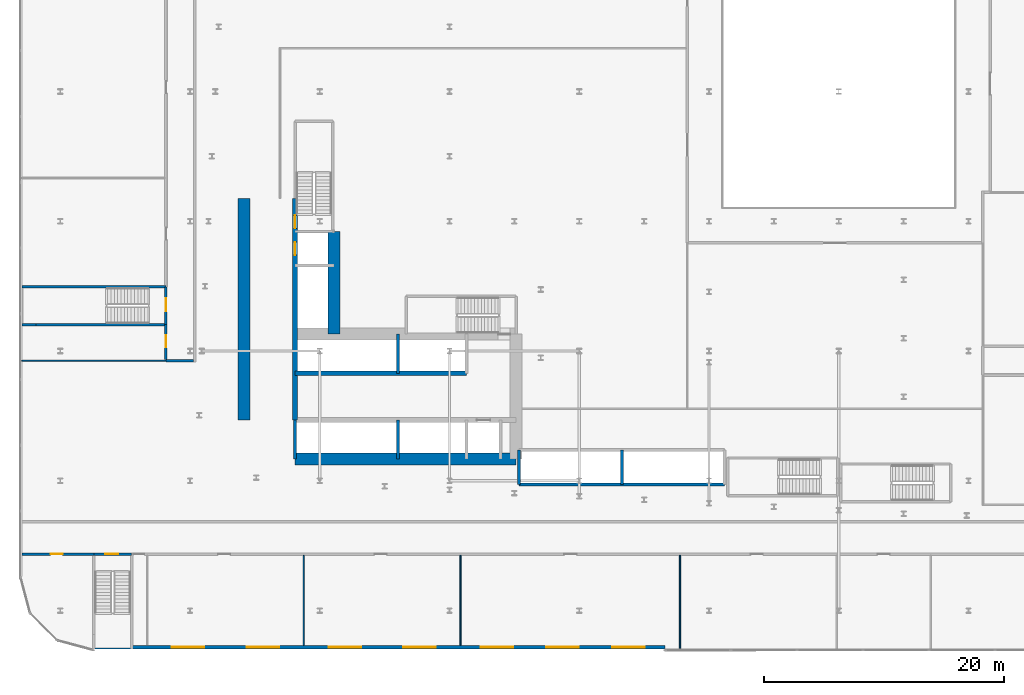
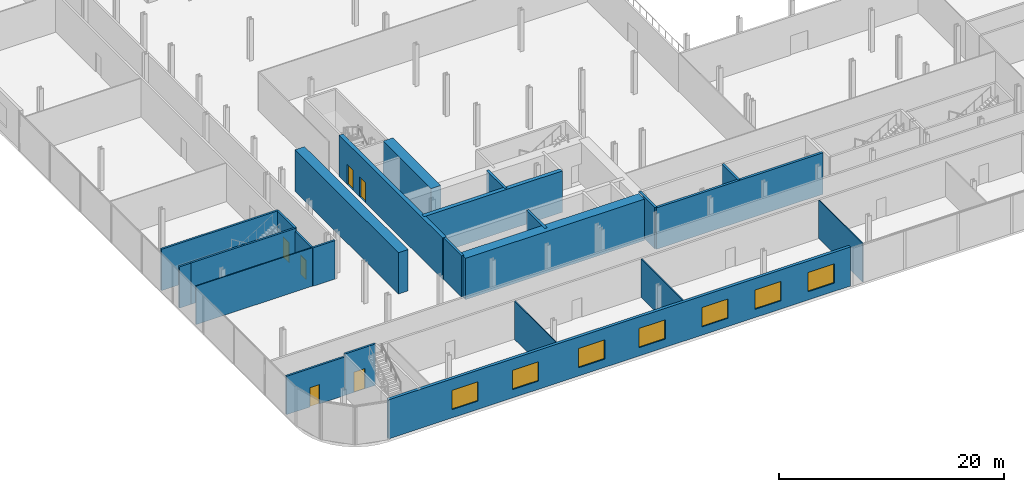
# One storey, part 26 of 47: 24 walls, 7 windows, 6 doors, 13 openings.
"""IFC4 building model written with IfcOpenShell, lengths in metres."""

from ifc_helpers import new_model, si_unit, direction, frame, frame_2d, origin, place, context, subcontext, project, spatial, rectangle, extrude, source, transform, mapped, material, layer, layer_set, type_object, element, fill, save


model = new_model("IFC4")

# Units and contexts
model_context = context("Model", 3, precision=1e-05, world=origin(), true_north=direction((0.0, 1.0)))
body_context = subcontext(model_context, "Body", "Model", "MODEL_VIEW")
ifc_project = project(units=[si_unit("LENGTHUNIT", "METRE"), si_unit("AREAUNIT", "SQUARE_METRE"), si_unit("VOLUMEUNIT", "CUBIC_METRE"), si_unit("PLANEANGLEUNIT", "RADIAN"), si_unit("MASSUNIT", "GRAM", prefix="KILO")], contexts=[model_context])

# Site, building, storey
site_placement = place(None, origin())
site = spatial("IfcSite", under=ifc_project, at=site_placement, CompositionType="ELEMENT")
building_placement = place(site_placement, origin())
building = spatial("IfcBuilding", under=site, at=building_placement, Name="Kheshtan School and Residences Tower", CompositionType="ELEMENT")
storey_placement = place(building_placement, frame((0.0, 0.0, 21.5)))
storey = spatial("IfcBuildingStorey", under=building, at=storey_placement, Name="L04", CompositionType="ELEMENT", Elevation=21.5)

# Walls
ifc_material_1 = material(Name="Concrete C80/95", Category="concrete")
ifc_layer_1 = layer(ifc_material_1, 1.0)
ifc_layer_set_1 = layer_set([ifc_layer_1], Name="Core wall 1000 Concrete C80/95")
wall_type_1 = type_object("IfcWallType", Name="Core wall 1000 Concrete C80/95", PredefinedType="SHEAR", material=ifc_layer_set_1)
wall_1_placement = place(storey_placement, frame((34.75, 25.800048828125, 0.0), z_axis=(0.0, 0.0, 1.0), x_axis=(1.0, 0.0, 0.0)))
element("IfcWall", 1, at=wall_1_placement, inside=storey, type_object=wall_type_1, Name="Core wall CW-REAR-S", PredefinedType="SHEAR", context=body_context, shape_type="SweptSolid", body=[
    extrude(rectangle(XDim=18.39990234375, YDim=1.0, at=frame_2d((9.199951171875, 0.0))), origin(), (0.0, 0.0, 1.0), 4.5),
])
wall_2_placement = place(storey_placement, frame((38.0, 36.199951171875, 0.0), z_axis=(0.0, 0.0, 1.0), x_axis=(0.0, 1.0, 0.0)))
element("IfcWall", 2, at=wall_2_placement, inside=storey, type_object=wall_type_1, Name="Core wall CW-FRONT-W", PredefinedType="SHEAR", context=body_context, shape_type="SweptSolid", body=[
    extrude(rectangle(XDim=8.550048828125, YDim=1.0, at=frame_2d((4.27490234375, 0.0))), origin(), (0.0, 0.0, 1.0), 4.5),
])
wall_3_placement = place(storey_placement, frame((30.5, 29.050048828125, 0.0), z_axis=(0.0, 0.0, 1.0), x_axis=(0.0, 1.0, 0.0)))
element("IfcWall", 3, at=wall_3_placement, inside=storey, type_object=wall_type_1, Name="Core wall CW-REAR-W", PredefinedType="SHEAR", context=body_context, shape_type="SweptSolid", body=[
    extrude(rectangle(XDim=18.449951171875, YDim=1.0, at=frame_2d((9.22509765625, 0.0))), origin(), (0.0, 0.0, 1.0), 4.5),
])
ifc_material_2 = material(Name="Concrete C50/60", Category="concrete")
ifc_layer_2 = layer(ifc_material_2, 0.39990234375)
ifc_layer_set_2 = layer_set([ifc_layer_2], Name="Core wall 400 Concrete C50/60")
wall_type_2 = type_object("IfcWallType", Name="Core wall 400 Concrete C50/60", PredefinedType="SHEAR", material=ifc_layer_set_2)
wall_4_placement = place(storey_placement, frame((34.75, 32.949951171875, 0.0), z_axis=(0.0, 0.0, 1.0), x_axis=(1.0, 0.0, 0.0)))
element("IfcWall", 4, at=wall_4_placement, inside=storey, type_object=wall_type_2, Name="Core wall CW-HALL-S2", PredefinedType="SHEAR", context=body_context, shape_type="SweptSolid", body=[
    extrude(rectangle(XDim=14.25, YDim=0.39990234375, at=frame_2d((7.125, 0.0))), origin(), (0.0, 0.0, 1.0), 4.5),
])

# Wall, openings, doors
wall_5_placement = place(storey_placement, frame((34.75, 29.050048828125, 0.0), z_axis=(0.0, 0.0, 1.0), x_axis=(0.0, 1.0, 0.0)))
wall_5 = element("IfcWall", 5, at=wall_5_placement, inside=storey, type_object=wall_type_2, Name="Core wall CW-HALL-W1", PredefinedType="SHEAR", context=body_context, shape_type="SweptSolid", body=[
    extrude(rectangle(XDim=18.449951171875, YDim=0.39990234375, at=frame_2d((9.22509765625, 0.0))), origin(), (0.0, 0.0, 1.0), 4.5),
])
opening_1_placement = place(wall_5_placement, frame((13.72509765625, 0.0, 0.0)))
opening_1 = element("IfcOpeningElement", 6, at=opening_1_placement, cuts=wall_5, Name="Opening LD", PredefinedType="OPENING", context=body_context, shape_type="SweptSolid", body=[
    extrude(rectangle(XDim=1.10009765625, YDim=2.199951171875, at=frame_2d((0.550048828125, 1.10009765625))), frame((0.0, 0.2099609375, 0.0), z_axis=(0.0, -1.0, 0.0), x_axis=(1.0, 0.0, 0.0)), (0.0, 0.0, 1.0), 0.419921875),
])
opening_2_placement = place(wall_5_placement, frame((15.949951171875, 0.0, 0.0)))
opening_2 = element("IfcOpeningElement", 7, at=opening_2_placement, cuts=wall_5, Name="Opening ST2D", PredefinedType="OPENING", context=body_context, shape_type="SweptSolid", body=[
    extrude(rectangle(XDim=1.10009765625, YDim=2.199951171875, at=frame_2d((0.550048828125, 1.10009765625))), frame((0.0, 0.2099609375, 0.0), z_axis=(0.0, -1.0, 0.0), x_axis=(1.0, 0.0, 0.0)), (0.0, 0.0, 1.0), 0.419921875),
])
ifc_material_3 = material(Name="Stainless steel door leaves", Category="steel")
door_type_1 = type_object("IfcDoorType", Name="Lift landing door 1100", OperationType="SLIDING_TO_LEFT", PredefinedType="DOOR", material=ifc_material_3)
shared_shape_1 = source(origin(), body_context, "Body", "SweptSolid", [
    extrude(rectangle(XDim=1.10009765625, YDim=2.199951171875, at=frame_2d((0.550048828125, 1.10009765625))), frame((0.0, 0.02490234375, 0.0), z_axis=(0.0, -1.0, 0.0), x_axis=(1.0, 0.0, 0.0)), (0.0, 0.0, 1.0), 0.050048828125),
])
door_1_placement = place(opening_1_placement, origin())
door_1 = element("IfcDoor", 8, at=door_1_placement, inside=storey, type_object=door_type_1, Name="Lift FFL1 landing door", OperationType="SLIDING_TO_LEFT", OverallHeight=2.199951171875, OverallWidth=1.10009765625, PredefinedType="DOOR", context=body_context, shape_type="MappedRepresentation", body=[
    mapped(shared_shape_1, transform((0.0, 0.0, 0.0), x_axis=(1.0, 0.0, 0.0), y_axis=(0.0, 1.0, 0.0), z_axis=(0.0, 0.0, 1.0), scale=1.0)),
])
fill(opening_1, door_1)
ifc_material_4 = material(Name="Steel door leaf, galvanised", Category="steel")
door_type_2 = type_object("IfcDoorType", Name="Stair door 1100 steel 90 min", OperationType="SINGLE_SWING_LEFT", PredefinedType="DOOR", material=ifc_material_4)
shared_shape_2 = source(origin(), body_context, "Body", "SweptSolid", [
    extrude(rectangle(XDim=1.10009765625, YDim=2.199951171875, at=frame_2d((0.550048828125, 1.10009765625))), frame((0.0, 0.02490234375, 0.0), z_axis=(0.0, -1.0, 0.0), x_axis=(1.0, 0.0, 0.0)), (0.0, 0.0, 1.0), 0.050048828125),
])
door_2_placement = place(opening_2_placement, origin())
door_2 = element("IfcDoor", 9, at=door_2_placement, inside=storey, type_object=door_type_2, Name="Stair ST2 door", OperationType="SINGLE_SWING_RIGHT", OverallHeight=2.199951171875, OverallWidth=1.10009765625, PredefinedType="DOOR", context=body_context, shape_type="MappedRepresentation", body=[
    mapped(shared_shape_2, transform((0.0, 0.0, 0.0), x_axis=(1.0, 0.0, 0.0), y_axis=(0.0, 1.0, 0.0), z_axis=(0.0, 0.0, 1.0), scale=1.0)),
])
fill(opening_2, door_2)

# Wall, opening, door
ifc_material_5 = material(Name="Gypsum board on steel studs with fire boards", Category="steel")
ifc_layer_3 = layer(ifc_material_5, 0.199951171875)
ifc_layer_set_3 = layer_set([ifc_layer_3], Name="Corridor wall 200")
wall_type_3 = type_object("IfcWallType", Name="Corridor wall 200", PredefinedType="PARTITIONING", material=ifc_layer_set_3)
wall_6_placement = place(storey_placement, frame((12.0, 17.89990234375, 0.0), z_axis=(0.0, 0.0, 1.0), x_axis=(1.0, 0.0, 0.0)))
wall_6 = element("IfcWall", 10, at=wall_6_placement, inside=storey, type_object=wall_type_3, Name="Partition L04-001", PredefinedType="PARTITIONING", context=body_context, shape_type="SweptSolid", body=[
    extrude(rectangle(XDim=6.0, YDim=0.199951171875, at=frame_2d((3.0, 0.0))), origin(), (0.0, 0.0, 1.0), 4.179931640625),
])
opening_3_placement = place(wall_6_placement, frame((2.39990234375, 0.0, 0.0)))
opening_3 = element("IfcOpeningElement", 11, at=opening_3_placement, cuts=wall_6, Name="Opening D04-034", PredefinedType="OPENING", context=body_context, shape_type="SweptSolid", body=[
    extrude(rectangle(XDim=1.0, YDim=2.10009765625, at=frame_2d((0.5, 1.050048828125))), frame((0.0, 0.10986328125, 0.0), z_axis=(0.0, -1.0, 0.0), x_axis=(1.0, 0.0, 0.0)), (0.0, 0.0, 1.0), 0.219970703125),
])
ifc_material_6 = material(Name="Steel-framed fire-resisting door leaf", Category="steel")
door_type_3 = type_object("IfcDoorType", Name="Fire door FD60 1000 x 2100", OperationType="SINGLE_SWING_LEFT", PredefinedType="DOOR", material=ifc_material_6)
shared_shape_3 = source(origin(), body_context, "Body", "SweptSolid", [
    extrude(rectangle(XDim=1.0, YDim=2.10009765625, at=frame_2d((0.5, 1.050048828125))), frame((0.0, 0.02490234375, 0.0), z_axis=(0.0, -1.0, 0.0), x_axis=(1.0, 0.0, 0.0)), (0.0, 0.0, 1.0), 0.050048828125),
])
door_3_placement = place(opening_3_placement, origin())
door_3 = element("IfcDoor", 12, at=door_3_placement, inside=storey, type_object=door_type_3, Name="Door D04-034", OperationType="SINGLE_SWING_LEFT", OverallHeight=2.10009765625, OverallWidth=1.0, PredefinedType="DOOR", context=body_context, shape_type="MappedRepresentation", body=[
    mapped(shared_shape_3, transform((0.0, 0.0, 0.0), x_axis=(1.0, 0.0, 0.0), y_axis=(0.0, 1.0, 0.0), z_axis=(0.0, 0.0, 1.0), scale=1.0)),
])
fill(opening_3, door_3)

# Wall
wall_7_placement = place(storey_placement, frame((24.0, 34.0, 0.0), z_axis=(0.0, 0.0, 1.0), x_axis=(1.0, 0.0, 0.0)))
element("IfcWall", 13, at=wall_7_placement, inside=storey, type_object=wall_type_3, Name="Partition L04-010", PredefinedType="PARTITIONING", context=body_context, shape_type="SweptSolid", body=[
    extrude(rectangle(XDim=2.300048828125, YDim=0.199951171875, at=frame_2d((1.14990234375, 0.0))), origin(), (0.0, 0.0, 1.0), 4.179931640625),
])

# Wall, opening, door
wall_8_placement = place(storey_placement, frame((24.0, 34.10009765625, 0.0), z_axis=(0.0, 0.0, 1.0), x_axis=(0.0, 1.0, 0.0)))
wall_8 = element("IfcWall", 14, at=wall_8_placement, inside=storey, type_object=wall_type_3, Name="Partition L04-011", PredefinedType="PARTITIONING", context=body_context, shape_type="SweptSolid", body=[
    extrude(rectangle(XDim=2.89990234375, YDim=0.199951171875, at=frame_2d((1.449951171875, 0.0))), origin(), (0.0, 0.0, 1.0), 4.179931640625),
])
opening_4_placement = place(wall_8_placement, frame((1.0, 0.0, 0.0)))
opening_4 = element("IfcOpeningElement", 15, at=opening_4_placement, cuts=wall_8, Name="Opening D04-052", PredefinedType="OPENING", context=body_context, shape_type="SweptSolid", body=[
    extrude(rectangle(XDim=1.0, YDim=2.10009765625, at=frame_2d((0.5, 1.050048828125))), frame((0.0, 0.10986328125, 0.0), z_axis=(0.0, -1.0, 0.0), x_axis=(1.0, 0.0, 0.0)), (0.0, 0.0, 1.0), 0.219970703125),
])
door_4_placement = place(opening_4_placement, origin())
door_4 = element("IfcDoor", 16, at=door_4_placement, inside=storey, type_object=door_type_3, Name="Door D04-052", OperationType="SINGLE_SWING_RIGHT", OverallHeight=2.10009765625, OverallWidth=1.0, PredefinedType="DOOR", context=body_context, shape_type="MappedRepresentation", body=[
    mapped(shared_shape_3, transform((0.0, 0.0, 0.0), x_axis=(1.0, 0.0, 0.0), y_axis=(0.0, 1.0, 0.0), z_axis=(0.0, 0.0, 1.0), scale=1.0)),
])
fill(opening_4, door_4)

# Walls
ifc_material_7 = material(Name="Gypsum board on steel studs", Category="steel")
ifc_layer_4 = layer(ifc_material_7, 0.10009765625)
ifc_layer_set_4 = layer_set([ifc_layer_4], Name="Gypsum partition 100")
wall_type_4 = type_object("IfcWallType", Name="Gypsum partition 100", PredefinedType="PARTITIONING", material=ifc_layer_set_4)
wall_9_placement = place(storey_placement, frame((12.0, 34.0, 0.0), z_axis=(0.0, 0.0, 1.0), x_axis=(1.0, 0.0, 0.0)))
element("IfcWall", 17, at=wall_9_placement, inside=storey, type_object=wall_type_4, Name="Partition L04-003", PredefinedType="PARTITIONING", context=body_context, shape_type="SweptSolid", body=[
    extrude(rectangle(XDim=12.0, YDim=0.10009765625, at=frame_2d((6.0, 0.0))), origin(), (0.0, 0.0, 1.0), 4.179931640625),
])
for number, where, z_axis, x_axis, name in (
    (18, (35.47802734375, 10.299072265625, 0.0), (0.0, 0.0, 1.0), (0.0, 1.0, 0.0), "Partition L04-017"),
    (19, (48.52197265625, 10.299072265625, 0.0), (0.0, 0.0, 1.0), (0.0, 1.0, 0.0), "Partition L04-018"),
):
    element("IfcWall", number, at=place(storey_placement, frame(where, z_axis=z_axis, x_axis=x_axis)), inside=storey, type_object=wall_type_4, Name=name, PredefinedType="PARTITIONING", context=body_context, shape_type="SweptSolid", body=[
        extrude(rectangle(XDim=7.5009765625, YDim=0.10009765625, at=frame_2d((3.75048828125, 0.0))), origin(), (0.0, 0.0, 1.0), 4.179931640625),
    ])
wall_10_placement = place(storey_placement, frame((66.782958984375, 10.0, 0.0), z_axis=(0.0, 0.0, 1.0), x_axis=(0.0, 1.0, 0.0)))
element("IfcWall", 20, at=wall_10_placement, inside=storey, type_object=wall_type_4, Name="Partition L04-028", PredefinedType="PARTITIONING", context=body_context, shape_type="SweptSolid", body=[
    extrude(rectangle(XDim=7.800048828125, YDim=0.10009765625, at=frame_2d((3.89990234375, 0.0))), origin(), (0.0, 0.0, 1.0), 4.179931640625),
])

# Wall, openings, windows
ifc_material_8 = material(Name="Concrete C40/50 with ceramic cladding and mineral wool insulation", Category="concrete")
ifc_layer_5 = layer(ifc_material_8, 0.300048828125)
ifc_layer_set_5 = layer_set([ifc_layer_5], Name="Podium external wall 300")
wall_type_5 = type_object("IfcWallType", Name="Podium external wall 300", PredefinedType="SOLIDWALL", material=ifc_layer_set_5)
wall_11_placement = place(storey_placement, frame((65.52001953125, 10.14990234375, 0.0), z_axis=(0.0, 0.0, 1.0), x_axis=(-1.0, 0.0, 0.0)))
wall_11 = element("IfcWall", 21, at=wall_11_placement, inside=storey, type_object=wall_type_5, Name="Podium external wall L04 12.1", PredefinedType="SOLIDWALL", context=body_context, shape_type="SweptSolid", body=[
    extrude(rectangle(XDim=47.52001953125, YDim=0.300048828125, at=frame_2d((23.760009765625, 0.0))), origin(), (0.0, 0.0, 1.0), 4.25),
])
opening_5_placement = place(wall_11_placement, frame((1.68310546875, 0.0, 0.89990234375)))
opening_5 = element("IfcOpeningElement", 22, at=opening_5_placement, cuts=wall_11, Name="Opening WN-D", PredefinedType="OPENING", context=body_context, shape_type="SweptSolid", body=[
    extrude(rectangle(XDim=2.699951171875, YDim=2.10009765625, at=frame_2d((1.35009765625, 1.050048828125))), frame((0.0, 0.16015625, 0.0), z_axis=(0.0, -1.0, 0.0), x_axis=(1.0, 0.0, 0.0)), (0.0, 0.0, 1.0), 0.320068359375),
])
opening_6_placement = place(wall_11_placement, frame((7.14990234375, 0.0, 0.89990234375)))
opening_6 = element("IfcOpeningElement", 23, at=opening_6_placement, cuts=wall_11, Name="Opening WN-D", PredefinedType="OPENING", context=body_context, shape_type="SweptSolid", body=[
    extrude(rectangle(XDim=2.699951171875, YDim=2.10009765625, at=frame_2d((1.35009765625, 1.050048828125))), frame((0.0, 0.16015625, 0.0), z_axis=(0.0, -1.0, 0.0), x_axis=(1.0, 0.0, 0.0)), (0.0, 0.0, 1.0), 0.320068359375),
])
opening_7_placement = place(wall_11_placement, frame((12.616943359375, 0.0, 0.89990234375)))
opening_7 = element("IfcOpeningElement", 24, at=opening_7_placement, cuts=wall_11, Name="Opening WN-D", PredefinedType="OPENING", context=body_context, shape_type="SweptSolid", body=[
    extrude(rectangle(XDim=2.699951171875, YDim=2.10009765625, at=frame_2d((1.35009765625, 1.050048828125))), frame((0.0, 0.16015625, 0.0), z_axis=(0.0, -1.0, 0.0), x_axis=(1.0, 0.0, 0.0)), (0.0, 0.0, 1.0), 0.320068359375),
])
opening_8_placement = place(wall_11_placement, frame((19.06005859375, 0.0, 0.89990234375)))
opening_8 = element("IfcOpeningElement", 25, at=opening_8_placement, cuts=wall_11, Name="Opening WN-D", PredefinedType="OPENING", context=body_context, shape_type="SweptSolid", body=[
    extrude(rectangle(XDim=2.699951171875, YDim=2.10009765625, at=frame_2d((1.35009765625, 1.050048828125))), frame((0.0, 0.16015625, 0.0), z_axis=(0.0, -1.0, 0.0), x_axis=(1.0, 0.0, 0.0)), (0.0, 0.0, 1.0), 0.320068359375),
])
opening_9_placement = place(wall_11_placement, frame((25.280029296875, 0.0, 0.89990234375)))
opening_9 = element("IfcOpeningElement", 26, at=opening_9_placement, cuts=wall_11, Name="Opening WN-D", PredefinedType="OPENING", context=body_context, shape_type="SweptSolid", body=[
    extrude(rectangle(XDim=2.699951171875, YDim=2.10009765625, at=frame_2d((1.35009765625, 1.050048828125))), frame((0.0, 0.16015625, 0.0), z_axis=(0.0, -1.0, 0.0), x_axis=(1.0, 0.0, 0.0)), (0.0, 0.0, 1.0), 0.320068359375),
])
opening_10_placement = place(wall_11_placement, frame((32.10009765625, 0.0, 0.89990234375)))
opening_10 = element("IfcOpeningElement", 27, at=opening_10_placement, cuts=wall_11, Name="Opening WN-D", PredefinedType="OPENING", context=body_context, shape_type="SweptSolid", body=[
    extrude(rectangle(XDim=2.699951171875, YDim=2.10009765625, at=frame_2d((1.35009765625, 1.050048828125))), frame((0.0, 0.16015625, 0.0), z_axis=(0.0, -1.0, 0.0), x_axis=(1.0, 0.0, 0.0)), (0.0, 0.0, 1.0), 0.320068359375),
])
opening_11_placement = place(wall_11_placement, frame((38.320068359375, 0.0, 0.89990234375)))
opening_11 = element("IfcOpeningElement", 28, at=opening_11_placement, cuts=wall_11, Name="Opening WN-D", PredefinedType="OPENING", context=body_context, shape_type="SweptSolid", body=[
    extrude(rectangle(XDim=2.699951171875, YDim=2.10009765625, at=frame_2d((1.35009765625, 1.050048828125))), frame((0.0, 0.16015625, 0.0), z_axis=(0.0, -1.0, 0.0), x_axis=(1.0, 0.0, 0.0)), (0.0, 0.0, 1.0), 0.320068359375),
])
ifc_material_9 = material(Name="Clear low-e glass in thermally broken aluminium frame", Category="aluminium")
window_type = type_object("IfcWindowType", Name="Window WN-D", PartitioningType="SINGLE_PANEL", PredefinedType="WINDOW", material=ifc_material_9)
shared_shape_4 = source(origin(), body_context, "Body", "SweptSolid", [
    extrude(rectangle(XDim=2.699951171875, YDim=2.10009765625, at=frame_2d((1.35009765625, 1.050048828125))), frame((0.0, 0.030029296875, 0.0), z_axis=(0.0, -1.0, 0.0), x_axis=(1.0, 0.0, 0.0)), (0.0, 0.0, 1.0), 0.06005859375),
])
window_1_placement = place(opening_5_placement, origin())
window_1 = element("IfcWindow", 29, at=window_1_placement, inside=storey, type_object=window_type, Name="Window L04 12.1.1", OverallHeight=2.10009765625, OverallWidth=2.699951171875, PartitioningType="SINGLE_PANEL", PredefinedType="WINDOW", context=body_context, shape_type="MappedRepresentation", body=[
    mapped(shared_shape_4, transform((0.0, 0.0, 0.0), x_axis=(1.0, 0.0, 0.0), y_axis=(0.0, 1.0, 0.0), z_axis=(0.0, 0.0, 1.0), scale=1.0)),
])
fill(opening_5, window_1)
window_2_placement = place(opening_6_placement, origin())
window_2 = element("IfcWindow", 30, at=window_2_placement, inside=storey, type_object=window_type, Name="Window L04 12.1.2", OverallHeight=2.10009765625, OverallWidth=2.699951171875, PartitioningType="SINGLE_PANEL", PredefinedType="WINDOW", context=body_context, shape_type="MappedRepresentation", body=[
    mapped(shared_shape_4, transform((0.0, 0.0, 0.0), x_axis=(1.0, 0.0, 0.0), y_axis=(0.0, 1.0, 0.0), z_axis=(0.0, 0.0, 1.0), scale=1.0)),
])
fill(opening_6, window_2)
window_3_placement = place(opening_7_placement, origin())
window_3 = element("IfcWindow", 31, at=window_3_placement, inside=storey, type_object=window_type, Name="Window L04 12.1.3", OverallHeight=2.10009765625, OverallWidth=2.699951171875, PartitioningType="SINGLE_PANEL", PredefinedType="WINDOW", context=body_context, shape_type="MappedRepresentation", body=[
    mapped(shared_shape_4, transform((0.0, 0.0, 0.0), x_axis=(1.0, 0.0, 0.0), y_axis=(0.0, 1.0, 0.0), z_axis=(0.0, 0.0, 1.0), scale=1.0)),
])
fill(opening_7, window_3)
window_4_placement = place(opening_8_placement, origin())
window_4 = element("IfcWindow", 32, at=window_4_placement, inside=storey, type_object=window_type, Name="Window L04 12.1.4", OverallHeight=2.10009765625, OverallWidth=2.699951171875, PartitioningType="SINGLE_PANEL", PredefinedType="WINDOW", context=body_context, shape_type="MappedRepresentation", body=[
    mapped(shared_shape_4, transform((0.0, 0.0, 0.0), x_axis=(1.0, 0.0, 0.0), y_axis=(0.0, 1.0, 0.0), z_axis=(0.0, 0.0, 1.0), scale=1.0)),
])
fill(opening_8, window_4)
window_5_placement = place(opening_9_placement, origin())
window_5 = element("IfcWindow", 33, at=window_5_placement, inside=storey, type_object=window_type, Name="Window L04 12.1.5", OverallHeight=2.10009765625, OverallWidth=2.699951171875, PartitioningType="SINGLE_PANEL", PredefinedType="WINDOW", context=body_context, shape_type="MappedRepresentation", body=[
    mapped(shared_shape_4, transform((0.0, 0.0, 0.0), x_axis=(1.0, 0.0, 0.0), y_axis=(0.0, 1.0, 0.0), z_axis=(0.0, 0.0, 1.0), scale=1.0)),
])
fill(opening_9, window_5)
window_6_placement = place(opening_10_placement, origin())
window_6 = element("IfcWindow", 34, at=window_6_placement, inside=storey, type_object=window_type, Name="Window L04 12.1.6", OverallHeight=2.10009765625, OverallWidth=2.699951171875, PartitioningType="SINGLE_PANEL", PredefinedType="WINDOW", context=body_context, shape_type="MappedRepresentation", body=[
    mapped(shared_shape_4, transform((0.0, 0.0, 0.0), x_axis=(1.0, 0.0, 0.0), y_axis=(0.0, 1.0, 0.0), z_axis=(0.0, 0.0, 1.0), scale=1.0)),
])
fill(opening_10, window_6)
window_7_placement = place(opening_11_placement, origin())
window_7 = element("IfcWindow", 35, at=window_7_placement, inside=storey, type_object=window_type, Name="Window L04 12.1.7", OverallHeight=2.10009765625, OverallWidth=2.699951171875, PartitioningType="SINGLE_PANEL", PredefinedType="WINDOW", context=body_context, shape_type="MappedRepresentation", body=[
    mapped(shared_shape_4, transform((0.0, 0.0, 0.0), x_axis=(1.0, 0.0, 0.0), y_axis=(0.0, 1.0, 0.0), z_axis=(0.0, 0.0, 1.0), scale=1.0)),
])
fill(opening_11, window_7)

# Walls
ifc_material_10 = material(Name="Fire-board shaft wall system")
ifc_layer_6 = layer(ifc_material_10, 0.25)
ifc_layer_set_6 = layer_set([ifc_layer_6], Name="Shaft lining wall 250")
wall_type_6 = type_object("IfcWallType", Name="Shaft lining wall 250", PredefinedType="PARTITIONING", material=ifc_layer_set_6)
for number, where, z_axis, x_axis, name in (
    (36, (34.75, 25.800048828125, 0.0), (0.0, 0.0, 1.0), (0.0, 1.0, 0.0), "Shaft lining wall"),
    (37, (43.300048828125, 25.800048828125, 0.0), (0.0, 0.0, 1.0), (0.0, 1.0, 0.0), "Shaft lining wall"),
    (38, (43.300048828125, 32.949951171875, 0.0), (0.0, 0.0, 1.0), (0.0, 1.0, 0.0), "Shaft lining wall"),
):
    element("IfcWall", number, at=place(storey_placement, frame(where, z_axis=z_axis, x_axis=x_axis)), inside=storey, type_object=wall_type_6, Name=name, PredefinedType="PARTITIONING", context=body_context, shape_type="SweptSolid", body=[
        extrude(rectangle(XDim=3.25, YDim=0.25, at=frame_2d((1.625, 0.0))), origin(), (0.0, 0.0, 1.0), 4.5),
    ])
for number, where, z_axis, x_axis, name in (
    (39, (53.39990234375, 23.699951171875, 0.0), (0.0, 0.0, 1.0), (0.0, 1.0, 0.0), "Shaft lining wall"),
    (40, (61.949951171875, 23.699951171875, 0.0), (0.0, 0.0, 1.0), (0.0, 1.0, 0.0), "Shaft lining wall"),
):
    element("IfcWall", number, at=place(storey_placement, frame(where, z_axis=z_axis, x_axis=x_axis)), inside=storey, type_object=wall_type_6, Name=name, PredefinedType="PARTITIONING", context=body_context, shape_type="SweptSolid", body=[
        extrude(rectangle(XDim=2.85009765625, YDim=0.25, at=frame_2d((1.425048828125, 0.0))), origin(), (0.0, 0.0, 1.0), 4.5),
    ])
wall_12_placement = place(storey_placement, frame((53.39990234375, 23.699951171875, 0.0), z_axis=(0.0, 0.0, 1.0), x_axis=(1.0, 0.0, 0.0)))
element("IfcWall", 41, at=wall_12_placement, inside=storey, type_object=wall_type_6, Name="Shaft lining wall", PredefinedType="PARTITIONING", context=body_context, shape_type="SweptSolid", body=[
    extrude(rectangle(XDim=17.10009765625, YDim=0.25, at=frame_2d((8.550048828125, 0.0))), origin(), (0.0, 0.0, 1.0), 4.5),
])

# Wall, opening, door
ifc_material_11 = material(Name="Concrete C40/50", Category="concrete")
ifc_layer_7 = layer(ifc_material_11, 0.199951171875)
ifc_layer_set_7 = layer_set([ifc_layer_7], Name="Stair enclosure wall 200 Concrete C40/50")
wall_type_7 = type_object("IfcWallType", Name="Stair enclosure wall 200 Concrete C40/50", PredefinedType="SHEAR", material=ifc_layer_set_7)
wall_13_placement = place(storey_placement, frame((18.0, 17.89990234375, 0.0), z_axis=(0.0, 0.0, 1.0), x_axis=(1.0, 0.0, 0.0)))
wall_13 = element("IfcWall", 42, at=wall_13_placement, inside=storey, type_object=wall_type_7, Name="Stair enclosure wall", PredefinedType="SHEAR", context=body_context, shape_type="SweptSolid", body=[
    extrude(rectangle(XDim=3.14990234375, YDim=0.199951171875, at=frame_2d((1.574951171875, 0.0))), origin(), (0.0, 0.0, 1.0), 4.5),
])
opening_12_placement = place(wall_13_placement, frame((0.949951171875, 0.0, 0.0)))
opening_12 = element("IfcOpeningElement", 43, at=opening_12_placement, cuts=wall_13, Name="Opening SD90", PredefinedType="OPENING", context=body_context, shape_type="SweptSolid", body=[
    extrude(rectangle(XDim=1.10009765625, YDim=2.199951171875, at=frame_2d((0.550048828125, 1.10009765625))), frame((0.0, 0.10986328125, 0.0), z_axis=(0.0, -1.0, 0.0), x_axis=(1.0, 0.0, 0.0)), (0.0, 0.0, 1.0), 0.219970703125),
])
door_5_placement = place(opening_12_placement, origin())
door_5 = element("IfcDoor", 44, at=door_5_placement, inside=storey, type_object=door_type_2, Name="Stair door", OperationType="SINGLE_SWING_RIGHT", OverallHeight=2.199951171875, OverallWidth=1.10009765625, PredefinedType="DOOR", context=body_context, shape_type="MappedRepresentation", body=[
    mapped(shared_shape_2, transform((0.0, 0.0, 0.0), x_axis=(1.0, 0.0, 0.0), y_axis=(0.0, 1.0, 0.0), z_axis=(0.0, 0.0, 1.0), scale=1.0)),
])
fill(opening_12, door_5)

# Walls
wall_14_placement = place(storey_placement, frame((12.0, 37.0, 0.0), z_axis=(0.0, 0.0, 1.0), x_axis=(1.0, 0.0, 0.0)))
element("IfcWall", 45, at=wall_14_placement, inside=storey, type_object=wall_type_7, Name="Stair enclosure wall", PredefinedType="SHEAR", context=body_context, shape_type="SweptSolid", body=[
    extrude(rectangle(XDim=1.199951171875, YDim=0.199951171875, at=frame_2d((0.60009765625, 0.0))), origin(), (0.0, 0.0, 1.0), 4.5),
])
wall_15_placement = place(storey_placement, frame((13.199951171875, 37.0, 0.0), z_axis=(0.0, 0.0, 1.0), x_axis=(1.0, 0.0, 0.0)))
element("IfcWall", 46, at=wall_15_placement, inside=storey, type_object=wall_type_7, Name="Stair enclosure wall", PredefinedType="SHEAR", context=body_context, shape_type="SweptSolid", body=[
    extrude(rectangle(XDim=10.800048828125, YDim=0.199951171875, at=frame_2d((5.39990234375, 0.0))), origin(), (0.0, 0.0, 1.0), 4.5),
])
wall_16_placement = place(storey_placement, frame((12.0, 40.14990234375, 0.0), z_axis=(0.0, 0.0, 1.0), x_axis=(1.0, 0.0, 0.0)))
element("IfcWall", 47, at=wall_16_placement, inside=storey, type_object=wall_type_7, Name="Stair enclosure wall", PredefinedType="SHEAR", context=body_context, shape_type="SweptSolid", body=[
    extrude(rectangle(XDim=12.0, YDim=0.199951171875, at=frame_2d((6.0, 0.0))), origin(), (0.0, 0.0, 1.0), 4.5),
])

# Wall, opening, door
wall_17_placement = place(storey_placement, frame((24.0, 37.0, 0.0), z_axis=(0.0, 0.0, 1.0), x_axis=(0.0, 1.0, 0.0)))
wall_17 = element("IfcWall", 48, at=wall_17_placement, inside=storey, type_object=wall_type_7, Name="Stair enclosure wall", PredefinedType="SHEAR", context=body_context, shape_type="SweptSolid", body=[
    extrude(rectangle(XDim=3.14990234375, YDim=0.199951171875, at=frame_2d((1.574951171875, 0.0))), origin(), (0.0, 0.0, 1.0), 4.5),
])
opening_13_placement = place(wall_17_placement, frame((1.10009765625, 0.0, 0.0)))
opening_13 = element("IfcOpeningElement", 49, at=opening_13_placement, cuts=wall_17, Name="Opening SD90", PredefinedType="OPENING", context=body_context, shape_type="SweptSolid", body=[
    extrude(rectangle(XDim=1.10009765625, YDim=2.199951171875, at=frame_2d((0.550048828125, 1.10009765625))), frame((0.0, 0.10986328125, 0.0), z_axis=(0.0, -1.0, 0.0), x_axis=(1.0, 0.0, 0.0)), (0.0, 0.0, 1.0), 0.219970703125),
])
door_6_placement = place(opening_13_placement, origin())
door_6 = element("IfcDoor", 50, at=door_6_placement, inside=storey, type_object=door_type_2, Name="Stair door", OperationType="SINGLE_SWING_RIGHT", OverallHeight=2.199951171875, OverallWidth=1.10009765625, PredefinedType="DOOR", context=body_context, shape_type="MappedRepresentation", body=[
    mapped(shared_shape_2, transform((0.0, 0.0, 0.0), x_axis=(1.0, 0.0, 0.0), y_axis=(0.0, 1.0, 0.0), z_axis=(0.0, 0.0, 1.0), scale=1.0)),
])
fill(opening_13, door_6)

save(model, "model.ifc")
